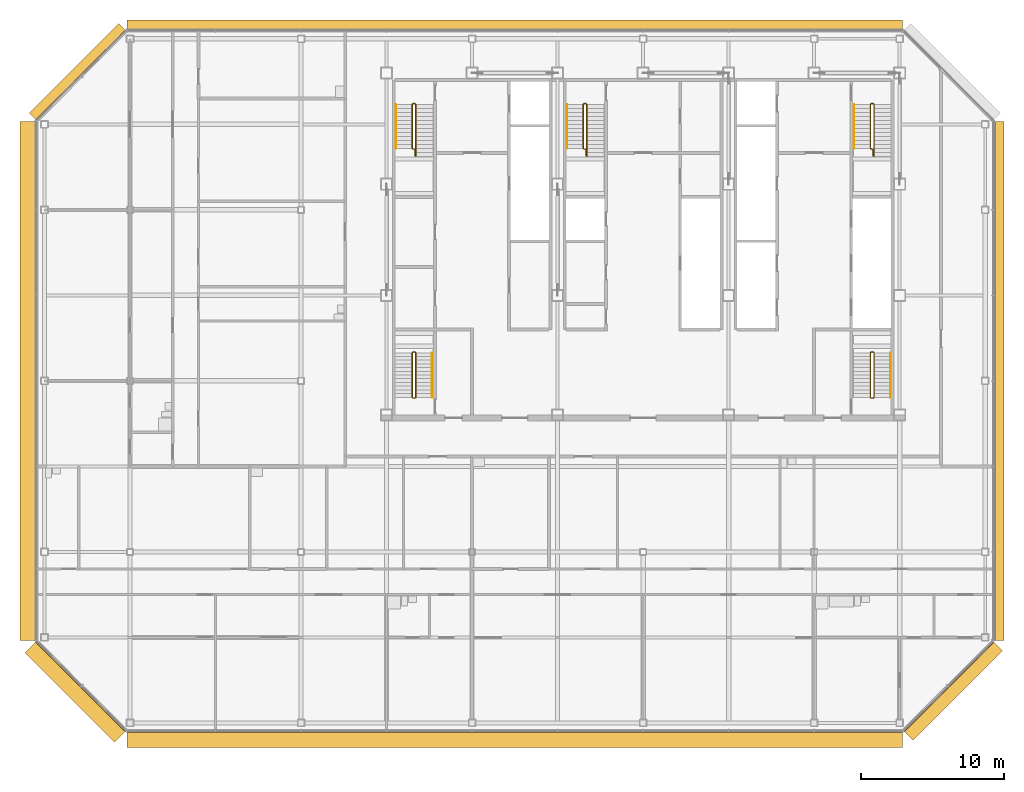
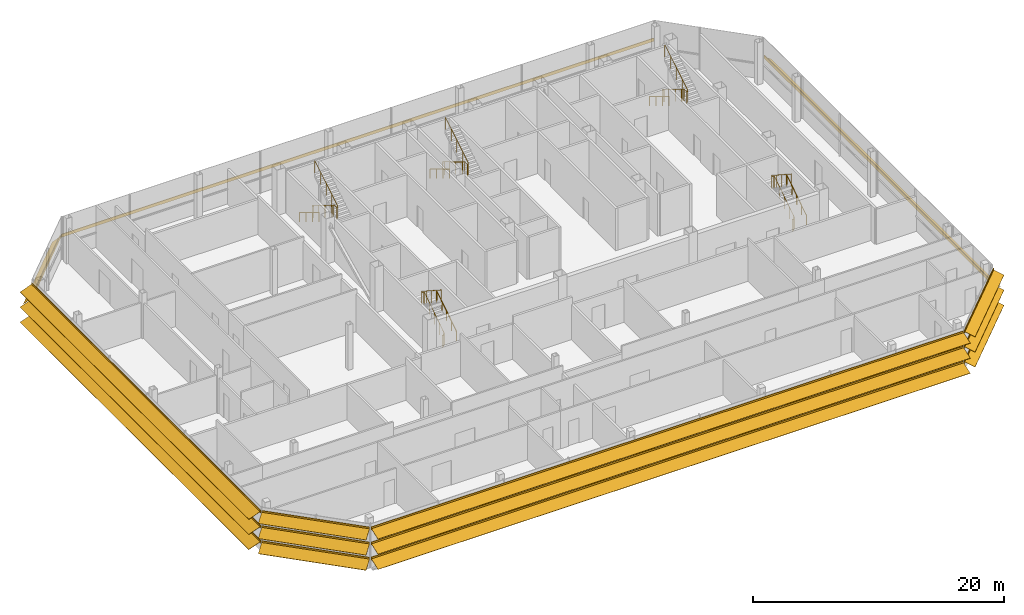
# One storey, part 27 of 29: 10 railings, 7 shading devices.
"""IFC4 building model written with IfcOpenShell, lengths in metres."""

from ifc_helpers import new_model, si_unit, direction, frame, origin, origin_2d, place, context, subcontext, project, spatial, polyline, circle, outline, composite_profile, extrude, material, type_object, element, save


model = new_model("IFC4")

# Units and contexts
model_context = context("Model", 3, precision=1e-05, world=origin(), true_north=direction((0.0, 1.0)))
body_context = subcontext(model_context, "Body", "Model", "MODEL_VIEW")
ifc_project = project(units=[si_unit("LENGTHUNIT", "METRE"), si_unit("AREAUNIT", "SQUARE_METRE"), si_unit("VOLUMEUNIT", "CUBIC_METRE"), si_unit("PLANEANGLEUNIT", "RADIAN"), si_unit("MASSUNIT", "GRAM", prefix="KILO")], contexts=[model_context])

# Site, building, storey
site_placement = place(None, origin())
site = spatial("IfcSite", under=ifc_project, at=site_placement, CompositionType="ELEMENT")
building_placement = place(site_placement, origin())
building = spatial("IfcBuilding", under=site, at=building_placement, Name="Sorahane Residences", CompositionType="ELEMENT")
storey_placement = place(building_placement, frame((0.0, 0.0, 326.800048828125)))
storey = spatial("IfcBuildingStorey", under=building, at=storey_placement, Name="L78", CompositionType="ELEMENT", Elevation=326.800048828125)

# Shading devices
ifc_material_1 = material(Name="Terracotta anodised aluminium", Category="masonry")
shading_device_type_1 = type_object("IfcShadingDeviceType", Name="Louvre sunshade blade E terracotta aluminium 700", PredefinedType="JALOUSIE", material=ifc_material_1)
shading_device_1_placement = place(storey_placement, frame((48.60009765625, 5.801513671875, 2.199951171875), z_axis=(0.0, 1.0, 0.0), x_axis=(-1.0, 0.0, 0.0)))
element("IfcShadingDevice", 1, at=shading_device_1_placement, inside=storey, type_object=shading_device_type_1, Name="Louvre sunshade blade bank E L78 E1", PredefinedType="JALOUSIE", context=body_context, shape_type="SweptSolid", body=[
    extrude(outline(polyline([(-0.719970703125, -0.49365234375), (-0.719970703125, -0.523681640625), (-0.080078125, -0.05859375), (-0.080078125, -0.14990234375), (-0.02001953125, -0.14990234375), (-0.02001953125, -0.014892578125), (-0.02001953125, 0.014892578125), (-0.02001953125, 0.14990234375), (-0.080078125, 0.14990234375), (-0.080078125, -0.028564453125), (-0.719970703125, -0.49365234375)])), origin(), (0.0, 0.0, 1.0), 36.39697265625),
])
ifc_material_2 = material(Name="Terracotta anodised aluminium", Category="masonry")
shading_device_type_2 = type_object("IfcShadingDeviceType", Name="Louvre sunshade blade N terracotta aluminium 700", PredefinedType="JALOUSIE", material=ifc_material_2)
shading_device_2_placement = place(storey_placement, frame((42.198486328125, 48.60009765625, 2.199951171875), z_axis=(-1.0, 0.0, 0.0), x_axis=(0.0, -1.0, 0.0)))
element("IfcShadingDevice", 2, at=shading_device_2_placement, inside=storey, type_object=shading_device_type_2, Name="Louvre sunshade blade bank N L78 N1", PredefinedType="JALOUSIE", context=body_context, shape_type="SweptSolid", body=[
    extrude(outline(polyline([(-0.719970703125, -0.660888671875), (-0.719970703125, -0.69091796875), (-0.080078125, -0.072998046875), (-0.080078125, -0.14990234375), (-0.02001953125, -0.14990234375), (-0.02001953125, -0.014892578125), (-0.02001953125, 0.014892578125), (-0.02001953125, 0.14990234375), (-0.080078125, 0.14990234375), (-0.080078125, -0.04296875), (-0.719970703125, -0.660888671875)])), origin(), (0.0, 0.0, 1.0), 54.39697265625),
])
ifc_material_3 = material(Name="Terracotta anodised aluminium", Category="masonry")
shading_device_type_3 = type_object("IfcShadingDeviceType", Name="Louvre sunshade blade NW terracotta aluminium 700", PredefinedType="JALOUSIE", material=ifc_material_3)
shading_device_3_placement = place(storey_placement, frame((-12.283935546875, 48.564697265625, 2.199951171875), z_axis=(-0.707106781187, -0.707106781187, 0.0), x_axis=(0.707106781187, -0.707106781187, 0.0)))
element("IfcShadingDevice", 3, at=shading_device_3_placement, inside=storey, type_object=shading_device_type_3, Name="Louvre sunshade blade bank NW L78 NW1", PredefinedType="JALOUSIE", context=body_context, shape_type="SweptSolid", body=[
    extrude(outline(polyline([(-0.719970703125, -0.660888671875), (-0.719970703125, -0.69091796875), (-0.080078125, -0.072998046875), (-0.080078125, -0.14990234375), (-0.02001953125, -0.14990234375), (-0.02001953125, -0.014892578125), (-0.02001953125, 0.014892578125), (-0.02001953125, 0.14990234375), (-0.080078125, 0.14990234375), (-0.080078125, -0.04296875), (-0.719970703125, -0.660888671875)])), origin(), (0.0, 0.0, 1.0), 8.88232421875),
])
ifc_material_4 = material(Name="Terracotta anodised aluminium", Category="masonry")
shading_device_type_4 = type_object("IfcShadingDeviceType", Name="Louvre sunshade blade S terracotta aluminium 1100", PredefinedType="JALOUSIE", material=ifc_material_4)
shading_device_4_placement = place(storey_placement, frame((-12.198486328125, -0.60009765625, 0.7333984375), z_axis=(1.0, 0.0, 0.0), x_axis=(0.0, 1.0, 0.0)))
element("IfcShadingDevice", 4, at=shading_device_4_placement, inside=storey, type_object=shading_device_type_4, Name="Louvre sunshade blade bank S L78 S1", PredefinedType="JALOUSIE", context=body_context, shape_type="SweptSolid", body=[
    extrude(composite_profile([outline(polyline([(-1.1201171875, -0.385498046875), (-1.1201171875, -0.415283203125), (-0.080078125, -0.036865234375), (-0.080078125, -0.14990234375), (-0.02001953125, -0.14990234375), (-0.02001953125, -0.014892578125), (-0.02001953125, 0.014892578125), (-0.02001953125, 0.14990234375), (-0.080078125, 0.14990234375), (-0.080078125, -0.0068359375), (-1.1201171875, -0.385498046875)])), outline(polyline([(-1.1201171875, 1.081298828125), (-1.1201171875, 1.05126953125), (-0.080078125, 1.429931640625), (-0.080078125, 1.316650390625), (-0.02001953125, 1.316650390625), (-0.02001953125, 1.45166015625), (-0.02001953125, 1.481689453125), (-0.02001953125, 1.61669921875), (-0.080078125, 1.61669921875), (-0.080078125, 1.4599609375), (-1.1201171875, 1.081298828125)])), outline(polyline([(-1.1201171875, 2.5478515625), (-1.1201171875, 2.517822265625), (-0.080078125, 2.896484375), (-0.080078125, 2.783203125), (-0.02001953125, 2.783203125), (-0.02001953125, 2.918212890625), (-0.02001953125, 2.9482421875), (-0.02001953125, 3.083251953125), (-0.080078125, 3.083251953125), (-0.080078125, 2.926513671875), (-1.1201171875, 2.5478515625)]))]), origin(), (0.0, 0.0, 1.0), 54.39697265625),
])
ifc_material_5 = material(Name="Terracotta anodised aluminium", Category="masonry")
shading_device_type_5 = type_object("IfcShadingDeviceType", Name="Louvre sunshade blade SE terracotta aluminium 900", PredefinedType="JALOUSIE", material=ifc_material_5)
shading_device_5_placement = place(storey_placement, frame((42.283935546875, -0.564697265625, 0.7333984375), z_axis=(0.707106781187, 0.707106781187, 0.0), x_axis=(-0.707106781187, 0.707106781187, 0.0)))
element("IfcShadingDevice", 5, at=shading_device_5_placement, inside=storey, type_object=shading_device_type_5, Name="Louvre sunshade blade bank SE L78 SE1", PredefinedType="JALOUSIE", context=body_context, shape_type="SweptSolid", body=[
    extrude(composite_profile([outline(polyline([(-0.919921875, -0.3486328125), (-0.919921875, -0.378662109375), (-0.080078125, -0.039306640625), (-0.080078125, -0.14990234375), (-0.02001953125, -0.14990234375), (-0.02001953125, -0.014892578125), (-0.02001953125, 0.014892578125), (-0.02001953125, 0.14990234375), (-0.080078125, 0.14990234375), (-0.080078125, -0.00927734375), (-0.919921875, -0.3486328125)])), outline(polyline([(-0.919921875, 1.1181640625), (-0.919921875, 1.088134765625), (-0.080078125, 1.427490234375), (-0.080078125, 1.316650390625), (-0.02001953125, 1.316650390625), (-0.02001953125, 1.45166015625), (-0.02001953125, 1.481689453125), (-0.02001953125, 1.61669921875), (-0.080078125, 1.61669921875), (-0.080078125, 1.45751953125), (-0.919921875, 1.1181640625)])), outline(polyline([(-0.919921875, 2.584716796875), (-0.919921875, 2.5546875), (-0.080078125, 2.89404296875), (-0.080078125, 2.783203125), (-0.02001953125, 2.783203125), (-0.02001953125, 2.918212890625), (-0.02001953125, 2.9482421875), (-0.02001953125, 3.083251953125), (-0.080078125, 3.083251953125), (-0.080078125, 2.924072265625), (-0.919921875, 2.584716796875)]))]), origin(), (0.0, 0.0, 1.0), 8.88232421875),
])
ifc_material_6 = material(Name="Terracotta anodised aluminium", Category="masonry")
shading_device_type_6 = type_object("IfcShadingDeviceType", Name="Louvre sunshade blade SW terracotta aluminium 1100", PredefinedType="JALOUSIE", material=ifc_material_6)
shading_device_6_placement = place(storey_placement, frame((-18.564697265625, 5.716064453125, 0.7333984375), z_axis=(0.707106781187, -0.707106781187, 0.0), x_axis=(0.707106781187, 0.707106781187, 0.0)))
element("IfcShadingDevice", 6, at=shading_device_6_placement, inside=storey, type_object=shading_device_type_6, Name="Louvre sunshade blade bank SW L78 SW1", PredefinedType="JALOUSIE", context=body_context, shape_type="SweptSolid", body=[
    extrude(composite_profile([outline(polyline([(-1.1201171875, -0.385498046875), (-1.1201171875, -0.415283203125), (-0.080078125, -0.036865234375), (-0.080078125, -0.14990234375), (-0.02001953125, -0.14990234375), (-0.02001953125, -0.014892578125), (-0.02001953125, 0.014892578125), (-0.02001953125, 0.14990234375), (-0.080078125, 0.14990234375), (-0.080078125, -0.0068359375), (-1.1201171875, -0.385498046875)])), outline(polyline([(-1.1201171875, 1.081298828125), (-1.1201171875, 1.05126953125), (-0.080078125, 1.429931640625), (-0.080078125, 1.316650390625), (-0.02001953125, 1.316650390625), (-0.02001953125, 1.45166015625), (-0.02001953125, 1.481689453125), (-0.02001953125, 1.61669921875), (-0.080078125, 1.61669921875), (-0.080078125, 1.4599609375), (-1.1201171875, 1.081298828125)])), outline(polyline([(-1.1201171875, 2.5478515625), (-1.1201171875, 2.517822265625), (-0.080078125, 2.896484375), (-0.080078125, 2.783203125), (-0.02001953125, 2.783203125), (-0.02001953125, 2.918212890625), (-0.02001953125, 2.9482421875), (-0.02001953125, 3.083251953125), (-0.080078125, 3.083251953125), (-0.080078125, 2.926513671875), (-1.1201171875, 2.5478515625)]))]), origin(), (0.0, 0.0, 1.0), 8.88232421875),
])
ifc_material_7 = material(Name="Terracotta anodised aluminium", Category="masonry")
shading_device_type_7 = type_object("IfcShadingDeviceType", Name="Louvre sunshade blade W terracotta aluminium 1100", PredefinedType="JALOUSIE", material=ifc_material_7)
shading_device_7_placement = place(storey_placement, frame((-18.60009765625, 42.198486328125, 0.7333984375), z_axis=(0.0, -1.0, 0.0), x_axis=(1.0, 0.0, 0.0)))
element("IfcShadingDevice", 7, at=shading_device_7_placement, inside=storey, type_object=shading_device_type_7, Name="Louvre sunshade blade bank W L78 W1", PredefinedType="JALOUSIE", context=body_context, shape_type="SweptSolid", body=[
    extrude(composite_profile([outline(polyline([(-1.1201171875, -0.385498046875), (-1.1201171875, -0.415283203125), (-0.080078125, -0.036865234375), (-0.080078125, -0.14990234375), (-0.02001953125, -0.14990234375), (-0.02001953125, -0.014892578125), (-0.02001953125, 0.014892578125), (-0.02001953125, 0.14990234375), (-0.080078125, 0.14990234375), (-0.080078125, -0.0068359375), (-1.1201171875, -0.385498046875)])), outline(polyline([(-1.1201171875, 1.081298828125), (-1.1201171875, 1.05126953125), (-0.080078125, 1.429931640625), (-0.080078125, 1.316650390625), (-0.02001953125, 1.316650390625), (-0.02001953125, 1.45166015625), (-0.02001953125, 1.481689453125), (-0.02001953125, 1.61669921875), (-0.080078125, 1.61669921875), (-0.080078125, 1.4599609375), (-1.1201171875, 1.081298828125)])), outline(polyline([(-1.1201171875, 2.5478515625), (-1.1201171875, 2.517822265625), (-0.080078125, 2.896484375), (-0.080078125, 2.783203125), (-0.02001953125, 2.783203125), (-0.02001953125, 2.918212890625), (-0.02001953125, 2.9482421875), (-0.02001953125, 3.083251953125), (-0.080078125, 3.083251953125), (-0.080078125, 2.926513671875), (-1.1201171875, 2.5478515625)]))]), origin(), (0.0, 0.0, 1.0), 36.39697265625),
])

# Railings
ifc_material_8 = material(Name="Steel Q355B", Category="steel")
railing_type_1 = type_object("IfcRailingType", Name="Stair guard 1200 Steel Q355B", PredefinedType="GUARDRAIL", material=ifc_material_8)
railing_1_placement = place(storey_placement, frame((8.0, 43.449951171875, 0.0)))
element("IfcRailing", 8, at=railing_1_placement, inside=storey, type_object=railing_type_1, Name="L78 S1 stair guard 1", PredefinedType="GUARDRAIL", context=body_context, shape_type="SweptSolid", body=[
    extrude(circle(Radius=0.02392578125, at=origin_2d()), frame((0.0, 0.0, 1.17578125), z_axis=(-1.0, 0.0, 0.0), x_axis=(0.0, -1.0, 0.0)), (0.0, 0.0, 1.0), 0.14990234375),
    extrude(circle(Radius=0.02392578125, at=origin_2d()), frame((-0.14990234375, 0.0, 1.17578125), z_axis=(-0.272897288611, -0.272897288611, 0.922525956132), x_axis=(0.707106781187, -0.707106781187, 0.0)), (0.0, 0.0, 1.0), 0.183349609375),
    extrude(circle(Radius=0.02392578125, at=origin_2d()), frame((-0.199951171875, -0.050048828125, 1.34521484375), z_axis=(0.0, -0.855812307579, 0.51728647208), x_axis=(1.0, 0.0, 0.0)), (0.0, 0.0, 1.0), 3.5986328125),
    extrude(circle(Radius=0.02392578125, at=origin_2d()), frame((-0.199951171875, -3.1298828125, 3.20654296875), z_axis=(0.707106781187, -0.707106781187, 0.0), x_axis=(0.707106781187, 0.707106781187, 0.0)), (0.0, 0.0, 1.0), 0.07080078125),
    extrude(circle(Radius=0.02392578125, at=origin_2d()), frame((-0.14990234375, -3.179931640625, 3.20654296875), z_axis=(1.0, 0.0, 0.0), x_axis=(0.0, 1.0, 0.0)), (0.0, 0.0, 1.0), 0.14990234375),
    extrude(circle(Radius=0.02392578125, at=origin_2d()), frame((0.0, -3.179931640625, 3.20654296875), z_axis=(0.0, -1.0, 0.0), x_axis=(1.0, 0.0, 0.0)), (0.0, 0.0, 1.0), 0.4599609375),
    extrude(circle(Radius=0.02392578125, at=origin_2d()), frame((0.0, -3.639892578125, 3.20654296875), z_axis=(0.272897288611, -0.272897288611, 0.922525956132), x_axis=(0.707106781187, 0.707106781187, 0.0)), (0.0, 0.0, 1.0), 0.183349609375),
    extrude(circle(Radius=0.02392578125, at=origin_2d()), frame((0.050048828125, -3.68994140625, 3.3759765625), z_axis=(0.0, 0.855827133697, 0.517261942568), x_axis=(-1.0, 0.0, 0.0)), (0.0, 0.0, 1.0), 4.253173828125),
    extrude(circle(Radius=0.02099609375, at=origin_2d()), origin(), (0.0, 0.0, 1.0), 1.15185546875),
    extrude(circle(Radius=0.02099609375, at=origin_2d()), frame((-0.14990234375, 0.0, 0.0)), (0.0, 0.0, 1.0), 1.15185546875),
    extrude(circle(Radius=0.02099609375, at=origin_2d()), frame((-0.199951171875, -0.050048828125, 0.169189453125)), (0.0, 0.0, 1.0), 1.15185546875),
    extrude(circle(Radius=0.02099609375, at=origin_2d()), frame((-0.199951171875, -1.07666015625, 0.789794921875)), (0.0, 0.0, 1.0), 1.15185546875),
    extrude(circle(Radius=0.02099609375, at=origin_2d()), frame((-0.199951171875, -2.103271484375, 1.41015625)), (0.0, 0.0, 1.0), 1.15185546875),
    extrude(circle(Radius=0.02099609375, at=origin_2d()), frame((-0.199951171875, -3.1298828125, 2.03076171875)), (0.0, 0.0, 1.0), 1.15185546875),
    extrude(circle(Radius=0.02099609375, at=origin_2d()), frame((-0.14990234375, -3.179931640625, 2.03076171875)), (0.0, 0.0, 1.0), 1.15185546875),
    extrude(circle(Radius=0.02099609375, at=origin_2d()), frame((0.0, -3.179931640625, 2.03076171875)), (0.0, 0.0, 1.0), 1.15185546875),
    extrude(circle(Radius=0.02099609375, at=origin_2d()), frame((0.0, -3.639892578125, 2.03076171875)), (0.0, 0.0, 1.0), 1.15185546875),
    extrude(circle(Radius=0.02099609375, at=origin_2d()), frame((0.050048828125, -3.68994140625, 2.199951171875)), (0.0, 0.0, 1.0), 1.15185546875),
    extrude(circle(Radius=0.02099609375, at=origin_2d()), frame((0.050048828125, -2.780029296875, 2.75)), (0.0, 0.0, 1.0), 1.15185546875),
    extrude(circle(Radius=0.02099609375, at=origin_2d()), frame((0.050048828125, -1.8701171875, 3.2998046875)), (0.0, 0.0, 1.0), 1.15185546875),
    extrude(circle(Radius=0.02099609375, at=origin_2d()), frame((0.050048828125, -0.9599609375, 3.849853515625)), (0.0, 0.0, 1.0), 1.15185546875),
    extrude(circle(Radius=0.02099609375, at=origin_2d()), frame((0.050048828125, -0.050048828125, 4.39990234375)), (0.0, 0.0, 1.0), 1.15185546875),
])
railing_2_placement = place(storey_placement, frame((40.14990234375, 43.449951171875, 0.0)))
element("IfcRailing", 9, at=railing_2_placement, inside=storey, type_object=railing_type_1, Name="L78 S2 stair guard 1", PredefinedType="GUARDRAIL", context=body_context, shape_type="SweptSolid", body=[
    extrude(circle(Radius=0.02392578125, at=origin_2d()), frame((0.0, 0.0, 1.17578125), z_axis=(-1.0, 0.0, 0.0), x_axis=(0.0, -1.0, 0.0)), (0.0, 0.0, 1.0), 0.14990234375),
    extrude(circle(Radius=0.02392578125, at=origin_2d()), frame((-0.14990234375, 0.0, 1.17578125), z_axis=(-0.272897288611, -0.272897288611, 0.922525956132), x_axis=(0.707106781187, -0.707106781187, 0.0)), (0.0, 0.0, 1.0), 0.183349609375),
    extrude(circle(Radius=0.02392578125, at=origin_2d()), frame((-0.199951171875, -0.050048828125, 1.34521484375), z_axis=(0.0, -0.855812307579, 0.51728647208), x_axis=(1.0, 0.0, 0.0)), (0.0, 0.0, 1.0), 3.5986328125),
    extrude(circle(Radius=0.02392578125, at=origin_2d()), frame((-0.199951171875, -3.1298828125, 3.20654296875), z_axis=(0.707106781187, -0.707106781187, 0.0), x_axis=(0.707106781187, 0.707106781187, 0.0)), (0.0, 0.0, 1.0), 0.07080078125),
    extrude(circle(Radius=0.02392578125, at=origin_2d()), frame((-0.14990234375, -3.179931640625, 3.20654296875), z_axis=(1.0, 0.0, 0.0), x_axis=(0.0, 1.0, 0.0)), (0.0, 0.0, 1.0), 0.14990234375),
    extrude(circle(Radius=0.02392578125, at=origin_2d()), frame((0.0, -3.179931640625, 3.20654296875), z_axis=(0.0, -1.0, 0.0), x_axis=(1.0, 0.0, 0.0)), (0.0, 0.0, 1.0), 0.4599609375),
    extrude(circle(Radius=0.02392578125, at=origin_2d()), frame((0.0, -3.639892578125, 3.20654296875), z_axis=(0.272897288611, -0.272897288611, 0.922525956132), x_axis=(0.707106781187, 0.707106781187, 0.0)), (0.0, 0.0, 1.0), 0.183349609375),
    extrude(circle(Radius=0.02392578125, at=origin_2d()), frame((0.050048828125, -3.68994140625, 3.3759765625), z_axis=(0.0, 0.855827133697, 0.517261942568), x_axis=(-1.0, 0.0, 0.0)), (0.0, 0.0, 1.0), 4.253173828125),
    extrude(circle(Radius=0.02099609375, at=origin_2d()), origin(), (0.0, 0.0, 1.0), 1.15185546875),
    extrude(circle(Radius=0.02099609375, at=origin_2d()), frame((-0.14990234375, 0.0, 0.0)), (0.0, 0.0, 1.0), 1.15185546875),
    extrude(circle(Radius=0.02099609375, at=origin_2d()), frame((-0.199951171875, -0.050048828125, 0.169189453125)), (0.0, 0.0, 1.0), 1.15185546875),
    extrude(circle(Radius=0.02099609375, at=origin_2d()), frame((-0.199951171875, -1.07666015625, 0.789794921875)), (0.0, 0.0, 1.0), 1.15185546875),
    extrude(circle(Radius=0.02099609375, at=origin_2d()), frame((-0.199951171875, -2.103271484375, 1.41015625)), (0.0, 0.0, 1.0), 1.15185546875),
    extrude(circle(Radius=0.02099609375, at=origin_2d()), frame((-0.199951171875, -3.1298828125, 2.03076171875)), (0.0, 0.0, 1.0), 1.15185546875),
    extrude(circle(Radius=0.02099609375, at=origin_2d()), frame((-0.14990234375, -3.179931640625, 2.03076171875)), (0.0, 0.0, 1.0), 1.15185546875),
    extrude(circle(Radius=0.02099609375, at=origin_2d()), frame((0.0, -3.179931640625, 2.03076171875)), (0.0, 0.0, 1.0), 1.15185546875),
    extrude(circle(Radius=0.02099609375, at=origin_2d()), frame((0.0, -3.639892578125, 2.03076171875)), (0.0, 0.0, 1.0), 1.15185546875),
    extrude(circle(Radius=0.02099609375, at=origin_2d()), frame((0.050048828125, -3.68994140625, 2.199951171875)), (0.0, 0.0, 1.0), 1.15185546875),
    extrude(circle(Radius=0.02099609375, at=origin_2d()), frame((0.050048828125, -2.780029296875, 2.75)), (0.0, 0.0, 1.0), 1.15185546875),
    extrude(circle(Radius=0.02099609375, at=origin_2d()), frame((0.050048828125, -1.8701171875, 3.2998046875)), (0.0, 0.0, 1.0), 1.15185546875),
    extrude(circle(Radius=0.02099609375, at=origin_2d()), frame((0.050048828125, -0.9599609375, 3.849853515625)), (0.0, 0.0, 1.0), 1.15185546875),
    extrude(circle(Radius=0.02099609375, at=origin_2d()), frame((0.050048828125, -0.050048828125, 4.39990234375)), (0.0, 0.0, 1.0), 1.15185546875),
])
railing_3_placement = place(storey_placement, frame((20.0, 43.449951171875, 0.0)))
element("IfcRailing", 10, at=railing_3_placement, inside=storey, type_object=railing_type_1, Name="L78 S3 stair guard 1", PredefinedType="GUARDRAIL", context=body_context, shape_type="SweptSolid", body=[
    extrude(circle(Radius=0.02392578125, at=origin_2d()), frame((0.0, 0.0, 1.17578125), z_axis=(-1.0, 0.0, 0.0), x_axis=(0.0, -1.0, 0.0)), (0.0, 0.0, 1.0), 0.14990234375),
    extrude(circle(Radius=0.02392578125, at=origin_2d()), frame((-0.14990234375, 0.0, 1.17578125), z_axis=(-0.272897288611, -0.272897288611, 0.922525956132), x_axis=(0.707106781187, -0.707106781187, 0.0)), (0.0, 0.0, 1.0), 0.183349609375),
    extrude(circle(Radius=0.02392578125, at=origin_2d()), frame((-0.199951171875, -0.050048828125, 1.34521484375), z_axis=(0.0, -0.855812307579, 0.51728647208), x_axis=(1.0, 0.0, 0.0)), (0.0, 0.0, 1.0), 3.5986328125),
    extrude(circle(Radius=0.02392578125, at=origin_2d()), frame((-0.199951171875, -3.1298828125, 3.20654296875), z_axis=(0.707106781187, -0.707106781187, 0.0), x_axis=(0.707106781187, 0.707106781187, 0.0)), (0.0, 0.0, 1.0), 0.07080078125),
    extrude(circle(Radius=0.02392578125, at=origin_2d()), frame((-0.14990234375, -3.179931640625, 3.20654296875), z_axis=(1.0, 0.0, 0.0), x_axis=(0.0, 1.0, 0.0)), (0.0, 0.0, 1.0), 0.14990234375),
    extrude(circle(Radius=0.02392578125, at=origin_2d()), frame((0.0, -3.179931640625, 3.20654296875), z_axis=(0.0, -1.0, 0.0), x_axis=(1.0, 0.0, 0.0)), (0.0, 0.0, 1.0), 0.4599609375),
    extrude(circle(Radius=0.02392578125, at=origin_2d()), frame((0.0, -3.639892578125, 3.20654296875), z_axis=(0.272897288611, -0.272897288611, 0.922525956132), x_axis=(0.707106781187, 0.707106781187, 0.0)), (0.0, 0.0, 1.0), 0.183349609375),
    extrude(circle(Radius=0.02392578125, at=origin_2d()), frame((0.050048828125, -3.68994140625, 3.3759765625), z_axis=(0.0, 0.855827133697, 0.517261942568), x_axis=(-1.0, 0.0, 0.0)), (0.0, 0.0, 1.0), 4.253173828125),
    extrude(circle(Radius=0.02099609375, at=origin_2d()), origin(), (0.0, 0.0, 1.0), 1.15185546875),
    extrude(circle(Radius=0.02099609375, at=origin_2d()), frame((-0.14990234375, 0.0, 0.0)), (0.0, 0.0, 1.0), 1.15185546875),
    extrude(circle(Radius=0.02099609375, at=origin_2d()), frame((-0.199951171875, -0.050048828125, 0.169189453125)), (0.0, 0.0, 1.0), 1.15185546875),
    extrude(circle(Radius=0.02099609375, at=origin_2d()), frame((-0.199951171875, -1.07666015625, 0.789794921875)), (0.0, 0.0, 1.0), 1.15185546875),
    extrude(circle(Radius=0.02099609375, at=origin_2d()), frame((-0.199951171875, -2.103271484375, 1.41015625)), (0.0, 0.0, 1.0), 1.15185546875),
    extrude(circle(Radius=0.02099609375, at=origin_2d()), frame((-0.199951171875, -3.1298828125, 2.03076171875)), (0.0, 0.0, 1.0), 1.15185546875),
    extrude(circle(Radius=0.02099609375, at=origin_2d()), frame((-0.14990234375, -3.179931640625, 2.03076171875)), (0.0, 0.0, 1.0), 1.15185546875),
    extrude(circle(Radius=0.02099609375, at=origin_2d()), frame((0.0, -3.179931640625, 2.03076171875)), (0.0, 0.0, 1.0), 1.15185546875),
    extrude(circle(Radius=0.02099609375, at=origin_2d()), frame((0.0, -3.639892578125, 2.03076171875)), (0.0, 0.0, 1.0), 1.15185546875),
    extrude(circle(Radius=0.02099609375, at=origin_2d()), frame((0.050048828125, -3.68994140625, 2.199951171875)), (0.0, 0.0, 1.0), 1.15185546875),
    extrude(circle(Radius=0.02099609375, at=origin_2d()), frame((0.050048828125, -2.780029296875, 2.75)), (0.0, 0.0, 1.0), 1.15185546875),
    extrude(circle(Radius=0.02099609375, at=origin_2d()), frame((0.050048828125, -1.8701171875, 3.2998046875)), (0.0, 0.0, 1.0), 1.15185546875),
    extrude(circle(Radius=0.02099609375, at=origin_2d()), frame((0.050048828125, -0.9599609375, 3.849853515625)), (0.0, 0.0, 1.0), 1.15185546875),
    extrude(circle(Radius=0.02099609375, at=origin_2d()), frame((0.050048828125, -0.050048828125, 4.39990234375)), (0.0, 0.0, 1.0), 1.15185546875),
])
railing_4_placement = place(storey_placement, frame((7.85009765625, 22.800048828125, 0.0)))
element("IfcRailing", 11, at=railing_4_placement, inside=storey, type_object=railing_type_1, Name="L78 S4 stair guard 1", PredefinedType="GUARDRAIL", context=body_context, shape_type="SweptSolid", body=[
    extrude(circle(Radius=0.02392578125, at=origin_2d()), frame((0.0, 0.0, 1.17578125), z_axis=(1.0, 0.0, 0.0), x_axis=(0.0, 1.0, 0.0)), (0.0, 0.0, 1.0), 0.14990234375),
    extrude(circle(Radius=0.02392578125, at=origin_2d()), frame((0.14990234375, 0.0, 1.17578125), z_axis=(0.272897288611, 0.272897288611, 0.922525956132), x_axis=(-0.707106781187, 0.707106781187, 0.0)), (0.0, 0.0, 1.0), 0.183349609375),
    extrude(circle(Radius=0.02392578125, at=origin_2d()), frame((0.199951171875, 0.050048828125, 1.34521484375), z_axis=(0.0, 0.838094317583, 0.54552535673), x_axis=(-1.0, 0.0, 0.0)), (0.0, 0.0, 1.0), 3.72265625),
    extrude(circle(Radius=0.02392578125, at=origin_2d()), frame((0.199951171875, 3.169921875, 3.3759765625), z_axis=(-0.707106781187, 0.707106781187, 0.0), x_axis=(-0.707106781187, -0.707106781187, 0.0)), (0.0, 0.0, 1.0), 0.07080078125),
    extrude(circle(Radius=0.02392578125, at=origin_2d()), frame((0.14990234375, 3.219970703125, 3.3759765625), z_axis=(-1.0, 0.0, 0.0), x_axis=(0.0, -1.0, 0.0)), (0.0, 0.0, 1.0), 0.14990234375),
    extrude(circle(Radius=0.02392578125, at=origin_2d()), frame((0.0, 3.219970703125, 3.3759765625), z_axis=(-0.272897288611, -0.272897288611, 0.922525956132), x_axis=(0.707106781187, -0.707106781187, 0.0)), (0.0, 0.0, 1.0), 0.183349609375),
    extrude(circle(Radius=0.02392578125, at=origin_2d()), frame((-0.050048828125, 3.169921875, 3.544921875), z_axis=(0.0, -0.838094317583, 0.54552535673), x_axis=(1.0, 0.0, 0.0)), (0.0, 0.0, 1.0), 3.72265625),
    extrude(circle(Radius=0.02099609375, at=origin_2d()), origin(), (0.0, 0.0, 1.0), 1.15185546875),
    extrude(circle(Radius=0.02099609375, at=origin_2d()), frame((0.14990234375, 0.0, 0.0)), (0.0, 0.0, 1.0), 1.15185546875),
    extrude(circle(Radius=0.02099609375, at=origin_2d()), frame((0.199951171875, 0.050048828125, 0.169189453125)), (0.0, 0.0, 1.0), 1.15185546875),
    extrude(circle(Radius=0.02099609375, at=origin_2d()), frame((0.199951171875, 0.830078125, 0.6767578125)), (0.0, 0.0, 1.0), 1.15185546875),
    extrude(circle(Radius=0.02099609375, at=origin_2d()), frame((0.199951171875, 1.60986328125, 1.1845703125)), (0.0, 0.0, 1.0), 1.15185546875),
    extrude(circle(Radius=0.02099609375, at=origin_2d()), frame((0.199951171875, 2.389892578125, 1.6923828125)), (0.0, 0.0, 1.0), 1.15185546875),
    extrude(circle(Radius=0.02099609375, at=origin_2d()), frame((0.199951171875, 3.169921875, 2.199951171875)), (0.0, 0.0, 1.0), 1.15185546875),
    extrude(circle(Radius=0.02099609375, at=origin_2d()), frame((0.14990234375, 3.219970703125, 2.199951171875)), (0.0, 0.0, 1.0), 1.15185546875),
    extrude(circle(Radius=0.02099609375, at=origin_2d()), frame((0.0, 3.219970703125, 2.199951171875)), (0.0, 0.0, 1.0), 1.15185546875),
    extrude(circle(Radius=0.02099609375, at=origin_2d()), frame((-0.050048828125, 3.169921875, 2.369140625)), (0.0, 0.0, 1.0), 1.15185546875),
    extrude(circle(Radius=0.02099609375, at=origin_2d()), frame((-0.050048828125, 2.389892578125, 2.876953125)), (0.0, 0.0, 1.0), 1.15185546875),
    extrude(circle(Radius=0.02099609375, at=origin_2d()), frame((-0.050048828125, 1.60986328125, 3.384521484375)), (0.0, 0.0, 1.0), 1.15185546875),
    extrude(circle(Radius=0.02099609375, at=origin_2d()), frame((-0.050048828125, 0.830078125, 3.89208984375)), (0.0, 0.0, 1.0), 1.15185546875),
    extrude(circle(Radius=0.02099609375, at=origin_2d()), frame((-0.050048828125, 0.050048828125, 4.39990234375)), (0.0, 0.0, 1.0), 1.15185546875),
])
railing_5_placement = place(storey_placement, frame((40.0, 22.800048828125, 0.0)))
element("IfcRailing", 12, at=railing_5_placement, inside=storey, type_object=railing_type_1, Name="L78 S5 stair guard 1", PredefinedType="GUARDRAIL", context=body_context, shape_type="SweptSolid", body=[
    extrude(circle(Radius=0.02392578125, at=origin_2d()), frame((0.0, 0.0, 1.17578125), z_axis=(1.0, 0.0, 0.0), x_axis=(0.0, 1.0, 0.0)), (0.0, 0.0, 1.0), 0.14990234375),
    extrude(circle(Radius=0.02392578125, at=origin_2d()), frame((0.14990234375, 0.0, 1.17578125), z_axis=(0.272897288611, 0.272897288611, 0.922525956132), x_axis=(-0.707106781187, 0.707106781187, 0.0)), (0.0, 0.0, 1.0), 0.183349609375),
    extrude(circle(Radius=0.02392578125, at=origin_2d()), frame((0.199951171875, 0.050048828125, 1.34521484375), z_axis=(0.0, 0.838094317583, 0.54552535673), x_axis=(-1.0, 0.0, 0.0)), (0.0, 0.0, 1.0), 3.72265625),
    extrude(circle(Radius=0.02392578125, at=origin_2d()), frame((0.199951171875, 3.169921875, 3.3759765625), z_axis=(-0.707106781187, 0.707106781187, 0.0), x_axis=(-0.707106781187, -0.707106781187, 0.0)), (0.0, 0.0, 1.0), 0.07080078125),
    extrude(circle(Radius=0.02392578125, at=origin_2d()), frame((0.14990234375, 3.219970703125, 3.3759765625), z_axis=(-1.0, 0.0, 0.0), x_axis=(0.0, -1.0, 0.0)), (0.0, 0.0, 1.0), 0.14990234375),
    extrude(circle(Radius=0.02392578125, at=origin_2d()), frame((0.0, 3.219970703125, 3.3759765625), z_axis=(-0.272897288611, -0.272897288611, 0.922525956132), x_axis=(0.707106781187, -0.707106781187, 0.0)), (0.0, 0.0, 1.0), 0.183349609375),
    extrude(circle(Radius=0.02392578125, at=origin_2d()), frame((-0.050048828125, 3.169921875, 3.544921875), z_axis=(0.0, -0.838094317583, 0.54552535673), x_axis=(1.0, 0.0, 0.0)), (0.0, 0.0, 1.0), 3.72265625),
    extrude(circle(Radius=0.02099609375, at=origin_2d()), origin(), (0.0, 0.0, 1.0), 1.15185546875),
    extrude(circle(Radius=0.02099609375, at=origin_2d()), frame((0.14990234375, 0.0, 0.0)), (0.0, 0.0, 1.0), 1.15185546875),
    extrude(circle(Radius=0.02099609375, at=origin_2d()), frame((0.199951171875, 0.050048828125, 0.169189453125)), (0.0, 0.0, 1.0), 1.15185546875),
    extrude(circle(Radius=0.02099609375, at=origin_2d()), frame((0.199951171875, 0.830078125, 0.6767578125)), (0.0, 0.0, 1.0), 1.15185546875),
    extrude(circle(Radius=0.02099609375, at=origin_2d()), frame((0.199951171875, 1.60986328125, 1.1845703125)), (0.0, 0.0, 1.0), 1.15185546875),
    extrude(circle(Radius=0.02099609375, at=origin_2d()), frame((0.199951171875, 2.389892578125, 1.6923828125)), (0.0, 0.0, 1.0), 1.15185546875),
    extrude(circle(Radius=0.02099609375, at=origin_2d()), frame((0.199951171875, 3.169921875, 2.199951171875)), (0.0, 0.0, 1.0), 1.15185546875),
    extrude(circle(Radius=0.02099609375, at=origin_2d()), frame((0.14990234375, 3.219970703125, 2.199951171875)), (0.0, 0.0, 1.0), 1.15185546875),
    extrude(circle(Radius=0.02099609375, at=origin_2d()), frame((0.0, 3.219970703125, 2.199951171875)), (0.0, 0.0, 1.0), 1.15185546875),
    extrude(circle(Radius=0.02099609375, at=origin_2d()), frame((-0.050048828125, 3.169921875, 2.369140625)), (0.0, 0.0, 1.0), 1.15185546875),
    extrude(circle(Radius=0.02099609375, at=origin_2d()), frame((-0.050048828125, 2.389892578125, 2.876953125)), (0.0, 0.0, 1.0), 1.15185546875),
    extrude(circle(Radius=0.02099609375, at=origin_2d()), frame((-0.050048828125, 1.60986328125, 3.384521484375)), (0.0, 0.0, 1.0), 1.15185546875),
    extrude(circle(Radius=0.02099609375, at=origin_2d()), frame((-0.050048828125, 0.830078125, 3.89208984375)), (0.0, 0.0, 1.0), 1.15185546875),
    extrude(circle(Radius=0.02099609375, at=origin_2d()), frame((-0.050048828125, 0.050048828125, 4.39990234375)), (0.0, 0.0, 1.0), 1.15185546875),
])
ifc_material_9 = material(Name="Steel Q355B", Category="steel")
railing_type_2 = type_object("IfcRailingType", Name="Stair handrail 900 Steel Q355B", PredefinedType="HANDRAIL", material=ifc_material_9)
for number, where, name in (
    (13, (6.64990234375, 43.39990234375, 0.169189453125), "L78 S1 stair handrail 1"),
    (14, (38.800048828125, 43.39990234375, 0.169189453125), "L78 S2 stair handrail 1"),
    (15, (18.64990234375, 43.39990234375, 0.169189453125), "L78 S3 stair handrail 1"),
):
    element("IfcRailing", number, at=place(storey_placement, frame(where)), inside=storey, type_object=railing_type_2, Name=name, PredefinedType="HANDRAIL", context=body_context, shape_type="SweptSolid", body=[
        extrude(circle(Radius=0.02392578125, at=origin_2d()), frame((0.0, 0.0, 0.8759765625), z_axis=(0.0, -0.855812307579, 0.51728647208), x_axis=(1.0, 0.0, 0.0)), (0.0, 0.0, 1.0), 3.5986328125),
        extrude(circle(Radius=0.02099609375, at=origin_2d()), origin(), (0.0, 0.0, 1.0), 0.851806640625),
        extrude(circle(Radius=0.02099609375, at=origin_2d()), frame((0.0, -1.026611328125, 0.62060546875)), (0.0, 0.0, 1.0), 0.851806640625),
        extrude(circle(Radius=0.02099609375, at=origin_2d()), frame((0.0, -2.05322265625, 1.240966796875)), (0.0, 0.0, 1.0), 0.851806640625),
        extrude(circle(Radius=0.02099609375, at=origin_2d()), frame((0.0, -3.079833984375, 1.861572265625)), (0.0, 0.0, 1.0), 0.851806640625),
    ])
for number, where, name in (
    (16, (9.199951171875, 22.85009765625, 0.169189453125), "L78 S4 stair handrail 1"),
    (17, (41.35009765625, 22.85009765625, 0.169189453125), "L78 S5 stair handrail 1"),
):
    element("IfcRailing", number, at=place(storey_placement, frame(where)), inside=storey, type_object=railing_type_2, Name=name, PredefinedType="HANDRAIL", context=body_context, shape_type="SweptSolid", body=[
        extrude(circle(Radius=0.02392578125, at=origin_2d()), frame((0.0, 0.0, 0.8759765625), z_axis=(0.0, 0.838094317583, 0.54552535673), x_axis=(-1.0, 0.0, 0.0)), (0.0, 0.0, 1.0), 3.72265625),
        extrude(circle(Radius=0.02099609375, at=origin_2d()), origin(), (0.0, 0.0, 1.0), 0.851806640625),
        extrude(circle(Radius=0.02099609375, at=origin_2d()), frame((0.0, 0.780029296875, 0.5078125)), (0.0, 0.0, 1.0), 0.851806640625),
        extrude(circle(Radius=0.02099609375, at=origin_2d()), frame((0.0, 1.56005859375, 1.015380859375)), (0.0, 0.0, 1.0), 0.851806640625),
        extrude(circle(Radius=0.02099609375, at=origin_2d()), frame((0.0, 2.33984375, 1.52294921875)), (0.0, 0.0, 1.0), 0.851806640625),
        extrude(circle(Radius=0.02099609375, at=origin_2d()), frame((0.0, 3.119873046875, 2.03076171875)), (0.0, 0.0, 1.0), 0.851806640625),
    ])

save(model, "model.ifc")
